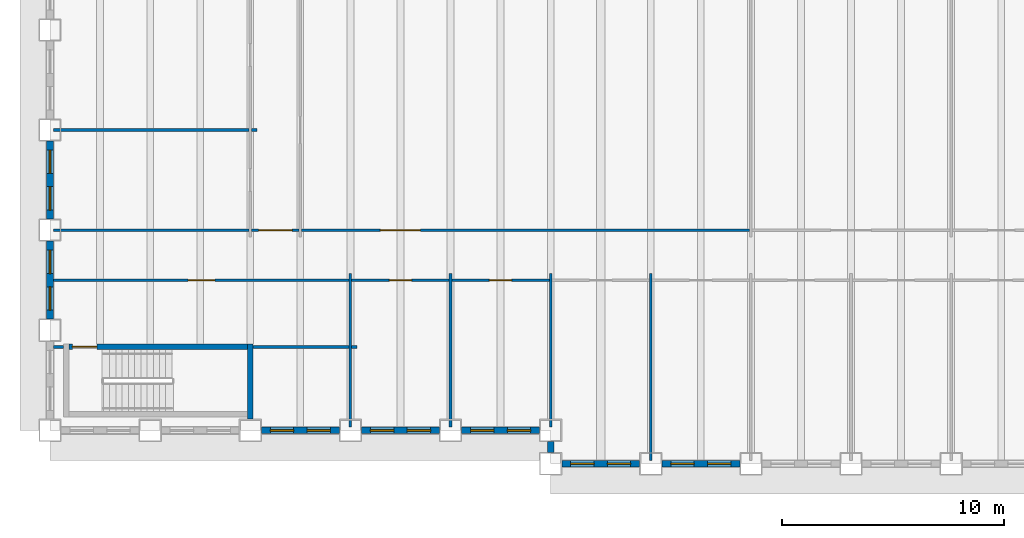
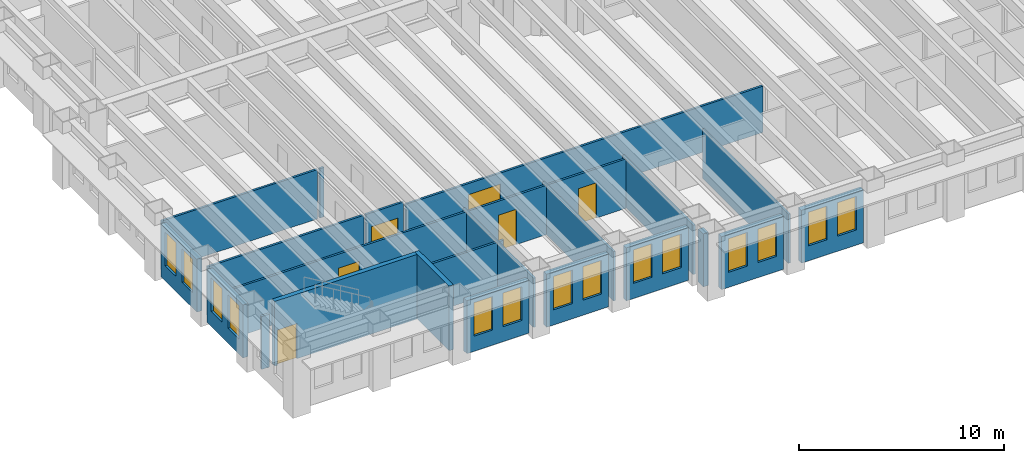
# One storey, part 3 of 16: 25 walls, 14 windows, 6 doors, 20 openings.
"""IFC4 building model written with IfcOpenShell, lengths in metres."""

from ifc_helpers import new_model, si_unit, direction, frame, frame_2d, origin, place, context, subcontext, project, spatial, rectangle, extrude, material, layer, layer_set, type_object, element, fill, save


model = new_model("IFC4")

# Units and contexts
model_context = context("Model", 3, precision=1e-05, world=origin(), true_north=direction((0.0, 1.0)))
body_context = subcontext(model_context, "Body", "Model", "MODEL_VIEW")
ifc_project = project(units=[si_unit("LENGTHUNIT", "METRE"), si_unit("AREAUNIT", "SQUARE_METRE"), si_unit("VOLUMEUNIT", "CUBIC_METRE"), si_unit("PLANEANGLEUNIT", "RADIAN"), si_unit("MASSUNIT", "GRAM", prefix="KILO")], contexts=[model_context])

# Site, building, storey
site_placement = place(None, origin())
site = spatial("IfcSite", under=ifc_project, at=site_placement, CompositionType="ELEMENT")
building_placement = place(site_placement, origin())
building = spatial("IfcBuilding", under=site, at=building_placement, Name="Sennacour Bend Tower", CompositionType="ELEMENT")
storey_placement = place(building_placement, frame((0.0, 0.0, 107.0)))
storey = spatial("IfcBuildingStorey", under=building, at=storey_placement, Name="L24", CompositionType="ELEMENT", Elevation=107.0)

# Walls
ifc_material_1 = material(Name="Plasterboard partition on steel studs", Category="steel")
ifc_layer_1 = layer(ifc_material_1, 0.1201171875, Name="Plasterboard partition on steel studs", Category="steel")
ifc_layer_set_1 = layer_set([ifc_layer_1], Name="Plasterboard partition on steel studs")
wall_type_1 = type_object("IfcWallType", Name="Partition 120", PredefinedType="PARTITIONING", material=ifc_layer_set_1)
for number, where, z_axis, x_axis, name in (
    (1, (13.5, 0.14990234375, 0.0), (0.0, 0.0, 1.0), (0.0, 1.0, 0.0), "P-L24-W014a"),
    (2, (18.0, 0.14990234375, 0.0), (0.0, 0.0, 1.0), (0.0, 1.0, 0.0), "P-L24-W018a"),
    (3, (22.5, 0.14990234375, 0.0), (0.0, 0.0, 1.0), (0.0, 1.0, 0.0), "P-L24-W023a"),
):
    element("IfcWall", number, at=place(storey_placement, frame(where, z_axis=z_axis, x_axis=x_axis)), inside=storey, type_object=wall_type_1, Name=name, PredefinedType="PARTITIONING", context=body_context, shape_type="SweptSolid", body=[
        extrude(rectangle(XDim=6.900146484375, YDim=0.1201171875, at=frame_2d((3.4501953125, 0.0))), origin(), (0.0, 0.0, 1.0), 2.93798828125),
    ])
wall_1_placement = place(storey_placement, frame((27.0, -1.35009765625, 0.0), z_axis=(0.0, 0.0, 1.0), x_axis=(0.0, 1.0, 0.0)))
element("IfcWall", 4, at=wall_1_placement, inside=storey, type_object=wall_type_1, Name="P-L24-W025a", PredefinedType="PARTITIONING", context=body_context, shape_type="SweptSolid", body=[
    extrude(rectangle(XDim=8.400146484375, YDim=0.1201171875, at=frame_2d((4.2001953125, 0.0))), origin(), (0.0, 0.0, 1.0), 2.93798828125),
])
wall_2_placement = place(storey_placement, frame((0.14990234375, 3.75, 0.0), z_axis=(0.0, 0.0, 1.0), x_axis=(1.0, 0.0, 0.0)))
element("IfcWall", 5, at=wall_2_placement, inside=storey, type_object=wall_type_1, Name="P-L24-W049a", PredefinedType="PARTITIONING", context=body_context, shape_type="SweptSolid", body=[
    extrude(rectangle(XDim=0.4501953125, YDim=0.1201171875, at=frame_2d((0.22509765625, 0.0))), origin(), (0.0, 0.0, 1.0), 3.154052734375),
])
wall_3_placement = place(storey_placement, frame((9.125, 3.75, 0.0), z_axis=(0.0, 0.0, 1.0), x_axis=(1.0, 0.0, 0.0)))
element("IfcWall", 6, at=wall_3_placement, inside=storey, type_object=wall_type_1, Name="P-L24-W051aa", PredefinedType="PARTITIONING", context=body_context, shape_type="SweptSolid", body=[
    extrude(rectangle(XDim=4.31494140625, YDim=0.1201171875, at=frame_2d((2.157470703125, 0.0))), origin(), (0.0, 0.0, 1.0), 2.93798828125),
])
wall_4_placement = place(storey_placement, frame((13.56005859375, 3.75, 0.0), z_axis=(0.0, 0.0, 1.0), x_axis=(1.0, 0.0, 0.0)))
element("IfcWall", 7, at=wall_4_placement, inside=storey, type_object=wall_type_1, Name="P-L24-W051ab", PredefinedType="PARTITIONING", context=body_context, shape_type="SweptSolid", body=[
    extrude(rectangle(XDim=0.239990234375, YDim=0.1201171875, at=frame_2d((0.1201171875, 0.0))), origin(), (0.0, 0.0, 1.0), 2.93798828125),
])

# Wall, opening, door
wall_5_placement = place(storey_placement, frame((13.56005859375, 6.75, 0.0), z_axis=(0.0, 0.0, 1.0), x_axis=(1.0, 0.0, 0.0)))
wall_5 = element("IfcWall", 8, at=wall_5_placement, inside=storey, type_object=wall_type_1, Name="P-L24-W056ab", PredefinedType="PARTITIONING", context=body_context, shape_type="SweptSolid", body=[
    extrude(rectangle(XDim=4.3798828125, YDim=0.1201171875, at=frame_2d((2.18994140625, 0.0))), origin(), (0.0, 0.0, 1.0), 2.93798828125),
])
opening_1_placement = place(wall_5_placement, frame((1.68994140625, 0.0, 0.0)))
opening_1 = element("IfcOpeningElement", 9, at=opening_1_placement, cuts=wall_5, Name="Opening OD2", PredefinedType="OPENING", context=body_context, shape_type="SweptSolid", body=[
    extrude(rectangle(XDim=1.0, YDim=2.10009765625, at=frame_2d((0.5, 1.050048828125))), frame((0.0, 0.070068359375, 0.0), z_axis=(0.0, -1.0, 0.0), x_axis=(1.0, 0.0, 0.0)), (0.0, 0.0, 1.0), 0.14013671875),
])
ifc_material_2 = material(Name="Timber", Category="wood")
door_type_1 = type_object("IfcDoorType", Name="DR-OFFICE-1000", OperationType="NOTDEFINED", PredefinedType="DOOR", material=ifc_material_2)
door_1_placement = place(opening_1_placement, origin())
door_1 = element("IfcDoor", 10, at=door_1_placement, inside=storey, type_object=door_type_1, Name="Door", OperationType="SINGLE_SWING_LEFT", OverallHeight=2.10009765625, OverallWidth=1.0, PredefinedType="DOOR", context=body_context, shape_type="SweptSolid", body=[
    extrude(rectangle(XDim=1.0, YDim=2.10009765625, at=frame_2d((0.5, 1.050048828125))), frame((0.0, 0.02490234375, 0.0), z_axis=(0.0, -1.0, 0.0), x_axis=(1.0, 0.0, 0.0)), (0.0, 0.0, 1.0), 0.050048828125),
])
fill(opening_1, door_1)

wall_6_placement = place(storey_placement, frame((18.06005859375, 6.75, 0.0), z_axis=(0.0, 0.0, 1.0), x_axis=(1.0, 0.0, 0.0)))
wall_6 = element("IfcWall", 11, at=wall_6_placement, inside=storey, type_object=wall_type_1, Name="P-L24-W056ac", PredefinedType="PARTITIONING", context=body_context, shape_type="SweptSolid", body=[
    extrude(rectangle(XDim=4.3798828125, YDim=0.1201171875, at=frame_2d((2.18994140625, 0.0))), origin(), (0.0, 0.0, 1.0), 2.93798828125),
])
opening_2_placement = place(wall_6_placement, frame((1.68994140625, 0.0, 0.0)))
opening_2 = element("IfcOpeningElement", 12, at=opening_2_placement, cuts=wall_6, Name="Opening OD2", PredefinedType="OPENING", context=body_context, shape_type="SweptSolid", body=[
    extrude(rectangle(XDim=1.0, YDim=2.10009765625, at=frame_2d((0.5, 1.050048828125))), frame((0.0, 0.070068359375, 0.0), z_axis=(0.0, -1.0, 0.0), x_axis=(1.0, 0.0, 0.0)), (0.0, 0.0, 1.0), 0.14013671875),
])
door_2_placement = place(opening_2_placement, origin())
door_2 = element("IfcDoor", 13, at=door_2_placement, inside=storey, type_object=door_type_1, Name="Door", OperationType="SINGLE_SWING_LEFT", OverallHeight=2.10009765625, OverallWidth=1.0, PredefinedType="DOOR", context=body_context, shape_type="SweptSolid", body=[
    extrude(rectangle(XDim=1.0, YDim=2.10009765625, at=frame_2d((0.5, 1.050048828125))), frame((0.0, 0.02490234375, 0.0), z_axis=(0.0, -1.0, 0.0), x_axis=(1.0, 0.0, 0.0)), (0.0, 0.0, 1.0), 0.050048828125),
])
fill(opening_2, door_2)

# Wall
wall_7_placement = place(storey_placement, frame((0.14990234375, 9.0, 0.0), z_axis=(0.0, 0.0, 1.0), x_axis=(1.0, 0.0, 0.0)))
element("IfcWall", 14, at=wall_7_placement, inside=storey, type_object=wall_type_1, Name="P-L24-W057aa", PredefinedType="PARTITIONING", context=body_context, shape_type="SweptSolid", body=[
    extrude(rectangle(XDim=8.7900390625, YDim=0.1201171875, at=frame_2d((4.39501953125, 0.0))), origin(), (0.0, 0.0, 1.0), 2.93798828125),
])

# Wall, opening, door
wall_8_placement = place(storey_placement, frame((11.31005859375, 9.0, 0.0), z_axis=(0.0, 0.0, 1.0), x_axis=(1.0, 0.0, 0.0)))
wall_8 = element("IfcWall", 15, at=wall_8_placement, inside=storey, type_object=wall_type_1, Name="P-L24-W057ac", PredefinedType="PARTITIONING", context=body_context, shape_type="SweptSolid", body=[
    extrude(rectangle(XDim=20.1298828125, YDim=0.1201171875, at=frame_2d((10.06494140625, 0.0))), origin(), (0.0, 0.0, 1.0), 2.760009765625),
])
opening_3_placement = place(wall_8_placement, frame((3.539794921875, 0.0, 0.0)))
opening_3 = element("IfcOpeningElement", 16, at=opening_3_placement, cuts=wall_8, Name="Opening OD3", PredefinedType="OPENING", context=body_context, shape_type="SweptSolid", body=[
    extrude(rectangle(XDim=1.800048828125, YDim=2.10009765625, at=frame_2d((0.89990234375, 1.050048828125))), frame((0.0, 0.070068359375, 0.0), z_axis=(0.0, -1.0, 0.0), x_axis=(1.0, 0.0, 0.0)), (0.0, 0.0, 1.0), 0.14013671875),
])
door_type_2 = type_object("IfcDoorType", Name="DR-OFFICE-1800", OperationType="NOTDEFINED", PredefinedType="DOOR", material=ifc_material_2)
door_3_placement = place(opening_3_placement, origin())
door_3 = element("IfcDoor", 17, at=door_3_placement, inside=storey, type_object=door_type_2, Name="Door", OperationType="DOUBLE_DOOR_SINGLE_SWING", OverallHeight=2.10009765625, OverallWidth=1.800048828125, PredefinedType="DOOR", context=body_context, shape_type="SweptSolid", body=[
    extrude(rectangle(XDim=1.800048828125, YDim=2.10009765625, at=frame_2d((0.89990234375, 1.050048828125))), frame((0.0, 0.02490234375, 0.0), z_axis=(0.0, -1.0, 0.0), x_axis=(1.0, 0.0, 0.0)), (0.0, 0.0, 1.0), 0.050048828125),
])
fill(opening_3, door_3)

# Walls
wall_9_placement = place(storey_placement, frame((0.14990234375, 13.5, 0.0), z_axis=(0.0, 0.0, 1.0), x_axis=(1.0, 0.0, 0.0)))
element("IfcWall", 18, at=wall_9_placement, inside=storey, type_object=wall_type_1, Name="P-L24-W060aa", PredefinedType="PARTITIONING", context=body_context, shape_type="SweptSolid", body=[
    extrude(rectangle(XDim=8.7900390625, YDim=0.1201171875, at=frame_2d((4.39501953125, 0.0))), origin(), (0.0, 0.0, 1.0), 2.93798828125),
])
wall_10_placement = place(storey_placement, frame((9.06005859375, 13.5, 0.0), z_axis=(0.0, 0.0, 1.0), x_axis=(1.0, 0.0, 0.0)))
element("IfcWall", 19, at=wall_10_placement, inside=storey, type_object=wall_type_1, Name="P-L24-W060ab", PredefinedType="PARTITIONING", context=body_context, shape_type="SweptSolid", body=[
    extrude(rectangle(XDim=0.239990234375, YDim=0.1201171875, at=frame_2d((0.1201171875, 0.0))), origin(), (0.0, 0.0, 1.0), 2.93798828125),
])

# Wall, opening, door
ifc_layer_2 = layer(ifc_material_1, 0.1201171875, Name="Plasterboard partition on steel studs", Category="steel")
ifc_layer_set_2 = layer_set([ifc_layer_2], Name="Plasterboard partition on steel studs")
wall_type_2 = type_object("IfcWallType", Name="Partition 120 EI 30", PredefinedType="PARTITIONING", material=ifc_layer_set_2)
wall_11_placement = place(storey_placement, frame((0.14990234375, 6.75, 0.0), z_axis=(0.0, 0.0, 1.0), x_axis=(1.0, 0.0, 0.0)))
wall_11 = element("IfcWall", 20, at=wall_11_placement, inside=storey, type_object=wall_type_2, Name="P-L24-W056aa", PredefinedType="PARTITIONING", context=body_context, shape_type="SweptSolid", body=[
    extrude(rectangle(XDim=13.2900390625, YDim=0.1201171875, at=frame_2d((6.64501953125, 0.0))), origin(), (0.0, 0.0, 1.0), 2.93798828125),
])
opening_4_placement = place(wall_11_placement, frame((6.05517578125, 0.0, 0.0)))
opening_4 = element("IfcOpeningElement", 21, at=opening_4_placement, cuts=wall_11, Name="Opening KD2", PredefinedType="OPENING", context=body_context, shape_type="SweptSolid", body=[
    extrude(rectangle(XDim=1.199951171875, YDim=2.10009765625, at=frame_2d((0.60009765625, 1.050048828125))), frame((0.0, 0.070068359375, 0.0), z_axis=(0.0, -1.0, 0.0), x_axis=(1.0, 0.0, 0.0)), (0.0, 0.0, 1.0), 0.14013671875),
])
ifc_material_3 = material(Name="Painted steel", Category="steel")
door_type_3 = type_object("IfcDoorType", Name="DR-CORRIDOR-1200", OperationType="NOTDEFINED", PredefinedType="DOOR", material=ifc_material_3)
door_4_placement = place(opening_4_placement, origin())
door_4 = element("IfcDoor", 22, at=door_4_placement, inside=storey, type_object=door_type_3, Name="Door", OperationType="SINGLE_SWING_LEFT", OverallHeight=2.10009765625, OverallWidth=1.199951171875, PredefinedType="DOOR", context=body_context, shape_type="SweptSolid", body=[
    extrude(rectangle(XDim=1.199951171875, YDim=2.10009765625, at=frame_2d((0.60009765625, 1.050048828125))), frame((0.0, 0.02490234375, 0.0), z_axis=(0.0, -1.0, 0.0), x_axis=(1.0, 0.0, 0.0)), (0.0, 0.0, 1.0), 0.050048828125),
])
fill(opening_4, door_4)

wall_12_placement = place(storey_placement, frame((9.06005859375, 9.0, 0.0), z_axis=(0.0, 0.0, 1.0), x_axis=(1.0, 0.0, 0.0)))
wall_12 = element("IfcWall", 23, at=wall_12_placement, inside=storey, type_object=wall_type_2, Name="P-L24-W057ab", PredefinedType="PARTITIONING", context=body_context, shape_type="SweptSolid", body=[
    extrude(rectangle(XDim=2.1298828125, YDim=0.1201171875, at=frame_2d((1.06494140625, 0.0))), origin(), (0.0, 0.0, 1.0), 2.93798828125),
])
opening_5_placement = place(wall_12_placement, frame((0.31494140625, 0.0, 0.0)))
opening_5 = element("IfcOpeningElement", 24, at=opening_5_placement, cuts=wall_12, Name="Opening KD", PredefinedType="OPENING", context=body_context, shape_type="SweptSolid", body=[
    extrude(rectangle(XDim=1.5, YDim=2.10009765625, at=frame_2d((0.75, 1.050048828125))), frame((0.0, 0.070068359375, 0.0), z_axis=(0.0, -1.0, 0.0), x_axis=(1.0, 0.0, 0.0)), (0.0, 0.0, 1.0), 0.14013671875),
])
door_type_4 = type_object("IfcDoorType", Name="DR-CORRIDOR-1500", OperationType="NOTDEFINED", PredefinedType="DOOR", material=ifc_material_3)
door_5_placement = place(opening_5_placement, origin())
door_5 = element("IfcDoor", 25, at=door_5_placement, inside=storey, type_object=door_type_4, Name="Door", OperationType="SINGLE_SWING_LEFT", OverallHeight=2.10009765625, OverallWidth=1.5, PredefinedType="DOOR", context=body_context, shape_type="SweptSolid", body=[
    extrude(rectangle(XDim=1.5, YDim=2.10009765625, at=frame_2d((0.75, 1.050048828125))), frame((0.0, 0.02490234375, 0.0), z_axis=(0.0, -1.0, 0.0), x_axis=(1.0, 0.0, 0.0)), (0.0, 0.0, 1.0), 0.050048828125),
])
fill(opening_5, door_5)

# Wall, openings, windows
ifc_material_4 = material(Name="Warm limestone cladding", Category="masonry")
ifc_layer_3 = layer(ifc_material_4, 0.050048828125, Name="Warm limestone cladding", Category="masonry")
ifc_material_5 = material(Name="Precast concrete C40/50", Category="concrete")
ifc_layer_4 = layer(ifc_material_5, 0.25, Name="Precast concrete C40/50", Category="concrete")
ifc_layer_set_3 = layer_set([ifc_layer_3, ifc_layer_4], Name="Precast concrete C40/50 with limestone cladding")
wall_type_3 = type_object("IfcWallType", Name="STONE-CLAD PRECAST SPANDREL 300", PredefinedType="STANDARD", material=ifc_layer_set_3)
wall_13_placement = place(storey_placement, frame((23.0, -1.5, 0.0), z_axis=(0.0, 0.0, 1.0), x_axis=(1.0, 0.0, 0.0)))
wall_13 = element("IfcWall", 26, at=wall_13_placement, inside=storey, type_object=wall_type_3, Name="Stone spandrel and pier wall L24 00.00", PredefinedType="STANDARD", context=body_context, shape_type="SweptSolid", body=[
    extrude(rectangle(XDim=3.5, YDim=0.300048828125, at=frame_2d((1.75, 0.0))), origin(), (0.0, 0.0, 1.0), 3.154052734375),
])
opening_6_placement = place(wall_13_placement, frame((0.39990234375, 0.0, 0.89990234375)))
opening_6 = element("IfcOpeningElement", 27, at=opening_6_placement, cuts=wall_13, Name="Opening W13", PredefinedType="OPENING", context=body_context, shape_type="SweptSolid", body=[
    extrude(rectangle(XDim=1.050048828125, YDim=2.0, at=frame_2d((0.52490234375, 1.0))), frame((0.0, 0.16015625, 0.0), z_axis=(0.0, -1.0, 0.0), x_axis=(1.0, 0.0, 0.0)), (0.0, 0.0, 1.0), 0.320068359375),
])
opening_7_placement = place(wall_13_placement, frame((2.050048828125, 0.0, 0.89990234375)))
opening_7 = element("IfcOpeningElement", 28, at=opening_7_placement, cuts=wall_13, Name="Opening W13", PredefinedType="OPENING", context=body_context, shape_type="SweptSolid", body=[
    extrude(rectangle(XDim=1.050048828125, YDim=2.0, at=frame_2d((0.52490234375, 1.0))), frame((0.0, 0.16015625, 0.0), z_axis=(0.0, -1.0, 0.0), x_axis=(1.0, 0.0, 0.0)), (0.0, 0.0, 1.0), 0.320068359375),
])
ifc_material_6 = material(Name="Clear low-emissivity glass", Category="glass")
window_type = type_object("IfcWindowType", Name="WIN-RIBBON-1050x2000", PartitioningType="SINGLE_PANEL", PredefinedType="WINDOW", material=ifc_material_6)
window_1_placement = place(opening_6_placement, origin())
window_1 = element("IfcWindow", 29, at=window_1_placement, inside=storey, type_object=window_type, Name="Ribbon window L24 00.00.0", OverallHeight=2.0, OverallWidth=1.050048828125, PartitioningType="SINGLE_PANEL", PredefinedType="WINDOW", context=body_context, shape_type="SweptSolid", body=[
    extrude(rectangle(XDim=1.050048828125, YDim=2.0, at=frame_2d((0.52490234375, 1.0))), frame((0.0, 0.030029296875, 0.0), z_axis=(0.0, -1.0, 0.0), x_axis=(1.0, 0.0, 0.0)), (0.0, 0.0, 1.0), 0.06005859375),
])
fill(opening_6, window_1)
window_2_placement = place(opening_7_placement, origin())
window_2 = element("IfcWindow", 30, at=window_2_placement, inside=storey, type_object=window_type, Name="Ribbon window L24 00.00.1", OverallHeight=2.0, OverallWidth=1.050048828125, PartitioningType="SINGLE_PANEL", PredefinedType="WINDOW", context=body_context, shape_type="SweptSolid", body=[
    extrude(rectangle(XDim=1.050048828125, YDim=2.0, at=frame_2d((0.52490234375, 1.0))), frame((0.0, 0.030029296875, 0.0), z_axis=(0.0, -1.0, 0.0), x_axis=(1.0, 0.0, 0.0)), (0.0, 0.0, 1.0), 0.06005859375),
])
fill(opening_7, window_2)

wall_14_placement = place(storey_placement, frame((27.5, -1.5, 0.0), z_axis=(0.0, 0.0, 1.0), x_axis=(1.0, 0.0, 0.0)))
wall_14 = element("IfcWall", 31, at=wall_14_placement, inside=storey, type_object=wall_type_3, Name="Stone spandrel and pier wall L24 00.01", PredefinedType="STANDARD", context=body_context, shape_type="SweptSolid", body=[
    extrude(rectangle(XDim=3.5, YDim=0.300048828125, at=frame_2d((1.75, 0.0))), origin(), (0.0, 0.0, 1.0), 3.154052734375),
])
opening_8_placement = place(wall_14_placement, frame((0.39990234375, 0.0, 0.89990234375)))
opening_8 = element("IfcOpeningElement", 32, at=opening_8_placement, cuts=wall_14, Name="Opening W13", PredefinedType="OPENING", context=body_context, shape_type="SweptSolid", body=[
    extrude(rectangle(XDim=1.050048828125, YDim=2.0, at=frame_2d((0.52490234375, 1.0))), frame((0.0, 0.16015625, 0.0), z_axis=(0.0, -1.0, 0.0), x_axis=(1.0, 0.0, 0.0)), (0.0, 0.0, 1.0), 0.320068359375),
])
opening_9_placement = place(wall_14_placement, frame((2.050048828125, 0.0, 0.89990234375)))
opening_9 = element("IfcOpeningElement", 33, at=opening_9_placement, cuts=wall_14, Name="Opening W13", PredefinedType="OPENING", context=body_context, shape_type="SweptSolid", body=[
    extrude(rectangle(XDim=1.050048828125, YDim=2.0, at=frame_2d((0.52490234375, 1.0))), frame((0.0, 0.16015625, 0.0), z_axis=(0.0, -1.0, 0.0), x_axis=(1.0, 0.0, 0.0)), (0.0, 0.0, 1.0), 0.320068359375),
])
window_3_placement = place(opening_8_placement, origin())
window_3 = element("IfcWindow", 34, at=window_3_placement, inside=storey, type_object=window_type, Name="Ribbon window L24 00.01.0", OverallHeight=2.0, OverallWidth=1.050048828125, PartitioningType="SINGLE_PANEL", PredefinedType="WINDOW", context=body_context, shape_type="SweptSolid", body=[
    extrude(rectangle(XDim=1.050048828125, YDim=2.0, at=frame_2d((0.52490234375, 1.0))), frame((0.0, 0.030029296875, 0.0), z_axis=(0.0, -1.0, 0.0), x_axis=(1.0, 0.0, 0.0)), (0.0, 0.0, 1.0), 0.06005859375),
])
fill(opening_8, window_3)
window_4_placement = place(opening_9_placement, origin())
window_4 = element("IfcWindow", 35, at=window_4_placement, inside=storey, type_object=window_type, Name="Ribbon window L24 00.01.1", OverallHeight=2.0, OverallWidth=1.050048828125, PartitioningType="SINGLE_PANEL", PredefinedType="WINDOW", context=body_context, shape_type="SweptSolid", body=[
    extrude(rectangle(XDim=1.050048828125, YDim=2.0, at=frame_2d((0.52490234375, 1.0))), frame((0.0, 0.030029296875, 0.0), z_axis=(0.0, -1.0, 0.0), x_axis=(1.0, 0.0, 0.0)), (0.0, 0.0, 1.0), 0.06005859375),
])
fill(opening_9, window_4)

wall_15_placement = place(storey_placement, frame((0.0, 13.0, 0.0), z_axis=(0.0, 0.0, 1.0), x_axis=(0.0, -1.0, 0.0)))
wall_15 = element("IfcWall", 36, at=wall_15_placement, inside=storey, type_object=wall_type_3, Name="Stone spandrel and pier wall L24 21.02", PredefinedType="STANDARD", context=body_context, shape_type="SweptSolid", body=[
    extrude(rectangle(XDim=3.5, YDim=0.300048828125, at=frame_2d((1.75, 0.0))), origin(), (0.0, 0.0, 1.0), 3.154052734375),
])
opening_10_placement = place(wall_15_placement, frame((0.39990234375, 0.0, 0.89990234375)))
opening_10 = element("IfcOpeningElement", 37, at=opening_10_placement, cuts=wall_15, Name="Opening W13", PredefinedType="OPENING", context=body_context, shape_type="SweptSolid", body=[
    extrude(rectangle(XDim=1.050048828125, YDim=2.0, at=frame_2d((0.52490234375, 1.0))), frame((0.0, 0.16015625, 0.0), z_axis=(0.0, -1.0, 0.0), x_axis=(1.0, 0.0, 0.0)), (0.0, 0.0, 1.0), 0.320068359375),
])
opening_11_placement = place(wall_15_placement, frame((2.050048828125, 0.0, 0.89990234375)))
opening_11 = element("IfcOpeningElement", 38, at=opening_11_placement, cuts=wall_15, Name="Opening W13", PredefinedType="OPENING", context=body_context, shape_type="SweptSolid", body=[
    extrude(rectangle(XDim=1.050048828125, YDim=2.0, at=frame_2d((0.52490234375, 1.0))), frame((0.0, 0.16015625, 0.0), z_axis=(0.0, -1.0, 0.0), x_axis=(1.0, 0.0, 0.0)), (0.0, 0.0, 1.0), 0.320068359375),
])
window_5_placement = place(opening_10_placement, origin())
window_5 = element("IfcWindow", 39, at=window_5_placement, inside=storey, type_object=window_type, Name="Ribbon window L24 21.02.0", OverallHeight=2.0, OverallWidth=1.050048828125, PartitioningType="SINGLE_PANEL", PredefinedType="WINDOW", context=body_context, shape_type="SweptSolid", body=[
    extrude(rectangle(XDim=1.050048828125, YDim=2.0, at=frame_2d((0.52490234375, 1.0))), frame((0.0, 0.030029296875, 0.0), z_axis=(0.0, -1.0, 0.0), x_axis=(1.0, 0.0, 0.0)), (0.0, 0.0, 1.0), 0.06005859375),
])
fill(opening_10, window_5)
window_6_placement = place(opening_11_placement, origin())
window_6 = element("IfcWindow", 40, at=window_6_placement, inside=storey, type_object=window_type, Name="Ribbon window L24 21.02.1", OverallHeight=2.0, OverallWidth=1.050048828125, PartitioningType="SINGLE_PANEL", PredefinedType="WINDOW", context=body_context, shape_type="SweptSolid", body=[
    extrude(rectangle(XDim=1.050048828125, YDim=2.0, at=frame_2d((0.52490234375, 1.0))), frame((0.0, 0.030029296875, 0.0), z_axis=(0.0, -1.0, 0.0), x_axis=(1.0, 0.0, 0.0)), (0.0, 0.0, 1.0), 0.06005859375),
])
fill(opening_11, window_6)

wall_16_placement = place(storey_placement, frame((0.0, 8.5, 0.0), z_axis=(0.0, 0.0, 1.0), x_axis=(0.0, -1.0, 0.0)))
wall_16 = element("IfcWall", 41, at=wall_16_placement, inside=storey, type_object=wall_type_3, Name="Stone spandrel and pier wall L24 21.03", PredefinedType="STANDARD", context=body_context, shape_type="SweptSolid", body=[
    extrude(rectangle(XDim=3.5, YDim=0.300048828125, at=frame_2d((1.75, 0.0))), origin(), (0.0, 0.0, 1.0), 3.154052734375),
])
opening_12_placement = place(wall_16_placement, frame((0.39990234375, 0.0, 0.89990234375)))
opening_12 = element("IfcOpeningElement", 42, at=opening_12_placement, cuts=wall_16, Name="Opening W13", PredefinedType="OPENING", context=body_context, shape_type="SweptSolid", body=[
    extrude(rectangle(XDim=1.050048828125, YDim=2.0, at=frame_2d((0.52490234375, 1.0))), frame((0.0, 0.16015625, 0.0), z_axis=(0.0, -1.0, 0.0), x_axis=(1.0, 0.0, 0.0)), (0.0, 0.0, 1.0), 0.320068359375),
])
opening_13_placement = place(wall_16_placement, frame((2.050048828125, 0.0, 0.89990234375)))
opening_13 = element("IfcOpeningElement", 43, at=opening_13_placement, cuts=wall_16, Name="Opening W13", PredefinedType="OPENING", context=body_context, shape_type="SweptSolid", body=[
    extrude(rectangle(XDim=1.050048828125, YDim=2.0, at=frame_2d((0.52490234375, 1.0))), frame((0.0, 0.16015625, 0.0), z_axis=(0.0, -1.0, 0.0), x_axis=(1.0, 0.0, 0.0)), (0.0, 0.0, 1.0), 0.320068359375),
])
window_7_placement = place(opening_12_placement, origin())
window_7 = element("IfcWindow", 44, at=window_7_placement, inside=storey, type_object=window_type, Name="Ribbon window L24 21.03.0", OverallHeight=2.0, OverallWidth=1.050048828125, PartitioningType="SINGLE_PANEL", PredefinedType="WINDOW", context=body_context, shape_type="SweptSolid", body=[
    extrude(rectangle(XDim=1.050048828125, YDim=2.0, at=frame_2d((0.52490234375, 1.0))), frame((0.0, 0.030029296875, 0.0), z_axis=(0.0, -1.0, 0.0), x_axis=(1.0, 0.0, 0.0)), (0.0, 0.0, 1.0), 0.06005859375),
])
fill(opening_12, window_7)
window_8_placement = place(opening_13_placement, origin())
window_8 = element("IfcWindow", 45, at=window_8_placement, inside=storey, type_object=window_type, Name="Ribbon window L24 21.03.1", OverallHeight=2.0, OverallWidth=1.050048828125, PartitioningType="SINGLE_PANEL", PredefinedType="WINDOW", context=body_context, shape_type="SweptSolid", body=[
    extrude(rectangle(XDim=1.050048828125, YDim=2.0, at=frame_2d((0.52490234375, 1.0))), frame((0.0, 0.030029296875, 0.0), z_axis=(0.0, -1.0, 0.0), x_axis=(1.0, 0.0, 0.0)), (0.0, 0.0, 1.0), 0.06005859375),
])
fill(opening_13, window_8)

wall_17_placement = place(storey_placement, frame((9.5, 0.0, 0.0), z_axis=(0.0, 0.0, 1.0), x_axis=(1.0, 0.0, 0.0)))
wall_17 = element("IfcWall", 46, at=wall_17_placement, inside=storey, type_object=wall_type_3, Name="Stone spandrel and pier wall L24 22.02", PredefinedType="STANDARD", context=body_context, shape_type="SweptSolid", body=[
    extrude(rectangle(XDim=3.5, YDim=0.300048828125, at=frame_2d((1.75, 0.0))), origin(), (0.0, 0.0, 1.0), 3.154052734375),
])
opening_14_placement = place(wall_17_placement, frame((0.39990234375, 0.0, 0.89990234375)))
opening_14 = element("IfcOpeningElement", 47, at=opening_14_placement, cuts=wall_17, Name="Opening W13", PredefinedType="OPENING", context=body_context, shape_type="SweptSolid", body=[
    extrude(rectangle(XDim=1.050048828125, YDim=2.0, at=frame_2d((0.52490234375, 1.0))), frame((0.0, 0.16015625, 0.0), z_axis=(0.0, -1.0, 0.0), x_axis=(1.0, 0.0, 0.0)), (0.0, 0.0, 1.0), 0.320068359375),
])
opening_15_placement = place(wall_17_placement, frame((2.050048828125, 0.0, 0.89990234375)))
opening_15 = element("IfcOpeningElement", 48, at=opening_15_placement, cuts=wall_17, Name="Opening W13", PredefinedType="OPENING", context=body_context, shape_type="SweptSolid", body=[
    extrude(rectangle(XDim=1.050048828125, YDim=2.0, at=frame_2d((0.52490234375, 1.0))), frame((0.0, 0.16015625, 0.0), z_axis=(0.0, -1.0, 0.0), x_axis=(1.0, 0.0, 0.0)), (0.0, 0.0, 1.0), 0.320068359375),
])
window_9_placement = place(opening_14_placement, origin())
window_9 = element("IfcWindow", 49, at=window_9_placement, inside=storey, type_object=window_type, Name="Ribbon window L24 22.02.0", OverallHeight=2.0, OverallWidth=1.050048828125, PartitioningType="SINGLE_PANEL", PredefinedType="WINDOW", context=body_context, shape_type="SweptSolid", body=[
    extrude(rectangle(XDim=1.050048828125, YDim=2.0, at=frame_2d((0.52490234375, 1.0))), frame((0.0, 0.030029296875, 0.0), z_axis=(0.0, -1.0, 0.0), x_axis=(1.0, 0.0, 0.0)), (0.0, 0.0, 1.0), 0.06005859375),
])
fill(opening_14, window_9)
window_10_placement = place(opening_15_placement, origin())
window_10 = element("IfcWindow", 50, at=window_10_placement, inside=storey, type_object=window_type, Name="Ribbon window L24 22.02.1", OverallHeight=2.0, OverallWidth=1.050048828125, PartitioningType="SINGLE_PANEL", PredefinedType="WINDOW", context=body_context, shape_type="SweptSolid", body=[
    extrude(rectangle(XDim=1.050048828125, YDim=2.0, at=frame_2d((0.52490234375, 1.0))), frame((0.0, 0.030029296875, 0.0), z_axis=(0.0, -1.0, 0.0), x_axis=(1.0, 0.0, 0.0)), (0.0, 0.0, 1.0), 0.06005859375),
])
fill(opening_15, window_10)

wall_18_placement = place(storey_placement, frame((14.0, 0.0, 0.0), z_axis=(0.0, 0.0, 1.0), x_axis=(1.0, 0.0, 0.0)))
wall_18 = element("IfcWall", 51, at=wall_18_placement, inside=storey, type_object=wall_type_3, Name="Stone spandrel and pier wall L24 22.03", PredefinedType="STANDARD", context=body_context, shape_type="SweptSolid", body=[
    extrude(rectangle(XDim=3.5, YDim=0.300048828125, at=frame_2d((1.75, 0.0))), origin(), (0.0, 0.0, 1.0), 3.154052734375),
])
opening_16_placement = place(wall_18_placement, frame((0.39990234375, 0.0, 0.89990234375)))
opening_16 = element("IfcOpeningElement", 52, at=opening_16_placement, cuts=wall_18, Name="Opening W13", PredefinedType="OPENING", context=body_context, shape_type="SweptSolid", body=[
    extrude(rectangle(XDim=1.050048828125, YDim=2.0, at=frame_2d((0.52490234375, 1.0))), frame((0.0, 0.16015625, 0.0), z_axis=(0.0, -1.0, 0.0), x_axis=(1.0, 0.0, 0.0)), (0.0, 0.0, 1.0), 0.320068359375),
])
opening_17_placement = place(wall_18_placement, frame((2.050048828125, 0.0, 0.89990234375)))
opening_17 = element("IfcOpeningElement", 53, at=opening_17_placement, cuts=wall_18, Name="Opening W13", PredefinedType="OPENING", context=body_context, shape_type="SweptSolid", body=[
    extrude(rectangle(XDim=1.050048828125, YDim=2.0, at=frame_2d((0.52490234375, 1.0))), frame((0.0, 0.16015625, 0.0), z_axis=(0.0, -1.0, 0.0), x_axis=(1.0, 0.0, 0.0)), (0.0, 0.0, 1.0), 0.320068359375),
])
window_11_placement = place(opening_16_placement, origin())
window_11 = element("IfcWindow", 54, at=window_11_placement, inside=storey, type_object=window_type, Name="Ribbon window L24 22.03.0", OverallHeight=2.0, OverallWidth=1.050048828125, PartitioningType="SINGLE_PANEL", PredefinedType="WINDOW", context=body_context, shape_type="SweptSolid", body=[
    extrude(rectangle(XDim=1.050048828125, YDim=2.0, at=frame_2d((0.52490234375, 1.0))), frame((0.0, 0.030029296875, 0.0), z_axis=(0.0, -1.0, 0.0), x_axis=(1.0, 0.0, 0.0)), (0.0, 0.0, 1.0), 0.06005859375),
])
fill(opening_16, window_11)
window_12_placement = place(opening_17_placement, origin())
window_12 = element("IfcWindow", 55, at=window_12_placement, inside=storey, type_object=window_type, Name="Ribbon window L24 22.03.1", OverallHeight=2.0, OverallWidth=1.050048828125, PartitioningType="SINGLE_PANEL", PredefinedType="WINDOW", context=body_context, shape_type="SweptSolid", body=[
    extrude(rectangle(XDim=1.050048828125, YDim=2.0, at=frame_2d((0.52490234375, 1.0))), frame((0.0, 0.030029296875, 0.0), z_axis=(0.0, -1.0, 0.0), x_axis=(1.0, 0.0, 0.0)), (0.0, 0.0, 1.0), 0.06005859375),
])
fill(opening_17, window_12)

wall_19_placement = place(storey_placement, frame((18.5, 0.0, 0.0), z_axis=(0.0, 0.0, 1.0), x_axis=(1.0, 0.0, 0.0)))
wall_19 = element("IfcWall", 56, at=wall_19_placement, inside=storey, type_object=wall_type_3, Name="Stone spandrel and pier wall L24 22.04", PredefinedType="STANDARD", context=body_context, shape_type="SweptSolid", body=[
    extrude(rectangle(XDim=3.5, YDim=0.300048828125, at=frame_2d((1.75, 0.0))), origin(), (0.0, 0.0, 1.0), 3.154052734375),
])
opening_18_placement = place(wall_19_placement, frame((0.39990234375, 0.0, 0.89990234375)))
opening_18 = element("IfcOpeningElement", 57, at=opening_18_placement, cuts=wall_19, Name="Opening W13", PredefinedType="OPENING", context=body_context, shape_type="SweptSolid", body=[
    extrude(rectangle(XDim=1.050048828125, YDim=2.0, at=frame_2d((0.52490234375, 1.0))), frame((0.0, 0.16015625, 0.0), z_axis=(0.0, -1.0, 0.0), x_axis=(1.0, 0.0, 0.0)), (0.0, 0.0, 1.0), 0.320068359375),
])
opening_19_placement = place(wall_19_placement, frame((2.050048828125, 0.0, 0.89990234375)))
opening_19 = element("IfcOpeningElement", 58, at=opening_19_placement, cuts=wall_19, Name="Opening W13", PredefinedType="OPENING", context=body_context, shape_type="SweptSolid", body=[
    extrude(rectangle(XDim=1.050048828125, YDim=2.0, at=frame_2d((0.52490234375, 1.0))), frame((0.0, 0.16015625, 0.0), z_axis=(0.0, -1.0, 0.0), x_axis=(1.0, 0.0, 0.0)), (0.0, 0.0, 1.0), 0.320068359375),
])
window_13_placement = place(opening_18_placement, origin())
window_13 = element("IfcWindow", 59, at=window_13_placement, inside=storey, type_object=window_type, Name="Ribbon window L24 22.04.0", OverallHeight=2.0, OverallWidth=1.050048828125, PartitioningType="SINGLE_PANEL", PredefinedType="WINDOW", context=body_context, shape_type="SweptSolid", body=[
    extrude(rectangle(XDim=1.050048828125, YDim=2.0, at=frame_2d((0.52490234375, 1.0))), frame((0.0, 0.030029296875, 0.0), z_axis=(0.0, -1.0, 0.0), x_axis=(1.0, 0.0, 0.0)), (0.0, 0.0, 1.0), 0.06005859375),
])
fill(opening_18, window_13)
window_14_placement = place(opening_19_placement, origin())
window_14 = element("IfcWindow", 60, at=window_14_placement, inside=storey, type_object=window_type, Name="Ribbon window L24 22.04.1", OverallHeight=2.0, OverallWidth=1.050048828125, PartitioningType="SINGLE_PANEL", PredefinedType="WINDOW", context=body_context, shape_type="SweptSolid", body=[
    extrude(rectangle(XDim=1.050048828125, YDim=2.0, at=frame_2d((0.52490234375, 1.0))), frame((0.0, 0.030029296875, 0.0), z_axis=(0.0, -1.0, 0.0), x_axis=(1.0, 0.0, 0.0)), (0.0, 0.0, 1.0), 0.06005859375),
])
fill(opening_19, window_14)

# Walls
wall_20_placement = place(storey_placement, frame((22.5, -0.5, 0.0), z_axis=(0.0, 0.0, 1.0), x_axis=(0.0, -1.0, 0.0)))
element("IfcWall", 61, at=wall_20_placement, inside=storey, type_object=wall_type_3, Name="Stone spandrel and pier wall L24 23.00", PredefinedType="STANDARD", context=body_context, shape_type="SweptSolid", body=[
    extrude(rectangle(XDim=0.5, YDim=0.300048828125, at=frame_2d((0.25, 0.0))), origin(), (0.0, 0.0, 1.0), 3.154052734375),
])
ifc_material_7 = material(Name="Concrete C60/75", Category="concrete")
ifc_layer_5 = layer(ifc_material_7, 0.25, Name="Concrete C60/75", Category="concrete")
ifc_layer_set_4 = layer_set([ifc_layer_5], Name="Concrete C60/75")
wall_type_4 = type_object("IfcWallType", Name="Stair wall 250", PredefinedType="SHEAR", material=ifc_layer_set_4)
wall_21_placement = place(storey_placement, frame((9.0, 0.5, 0.0), z_axis=(0.0, 0.0, 1.0), x_axis=(0.0, 1.0, 0.0)))
element("IfcWall", 62, at=wall_21_placement, inside=storey, type_object=wall_type_4, Name="P-L24-W009", PredefinedType="SHEAR", context=body_context, shape_type="SweptSolid", body=[
    extrude(rectangle(XDim=3.375, YDim=0.25, at=frame_2d((1.6875, 0.0))), origin(), (0.0, 0.0, 1.0), 3.85009765625),
])

# Wall, opening, door
wall_22_placement = place(storey_placement, frame((0.85009765625, 3.75, 0.0), z_axis=(0.0, 0.0, 1.0), x_axis=(1.0, 0.0, 0.0)))
wall_22 = element("IfcWall", 63, at=wall_22_placement, inside=storey, type_object=wall_type_4, Name="P-L24-W050", PredefinedType="SHEAR", context=body_context, shape_type="SweptSolid", body=[
    extrude(rectangle(XDim=8.02490234375, YDim=0.25, at=frame_2d((4.012451171875, 0.0))), origin(), (0.0, 0.0, 1.0), 3.85009765625),
])
opening_20_placement = place(wall_22_placement, frame((0.14990234375, 0.0, 0.0)))
opening_20 = element("IfcOpeningElement", 64, at=opening_20_placement, cuts=wall_22, Name="Opening SD", PredefinedType="OPENING", context=body_context, shape_type="SweptSolid", body=[
    extrude(rectangle(XDim=1.10009765625, YDim=2.10009765625, at=frame_2d((0.550048828125, 1.050048828125))), frame((0.0, 0.135009765625, 0.0), z_axis=(0.0, -1.0, 0.0), x_axis=(1.0, 0.0, 0.0)), (0.0, 0.0, 1.0), 0.27001953125),
])
door_type_5 = type_object("IfcDoorType", Name="DR-STAIR-1100", OperationType="NOTDEFINED", PredefinedType="DOOR", material=ifc_material_3)
door_6_placement = place(opening_20_placement, origin())
door_6 = element("IfcDoor", 65, at=door_6_placement, inside=storey, type_object=door_type_5, Name="Door", OperationType="SINGLE_SWING_LEFT", OverallHeight=2.10009765625, OverallWidth=1.10009765625, PredefinedType="DOOR", context=body_context, shape_type="SweptSolid", body=[
    extrude(rectangle(XDim=1.10009765625, YDim=2.10009765625, at=frame_2d((0.550048828125, 1.050048828125))), frame((0.0, 0.02490234375, 0.0), z_axis=(0.0, -1.0, 0.0), x_axis=(1.0, 0.0, 0.0)), (0.0, 0.0, 1.0), 0.050048828125),
])
fill(opening_20, door_6)

save(model, "model.ifc")
